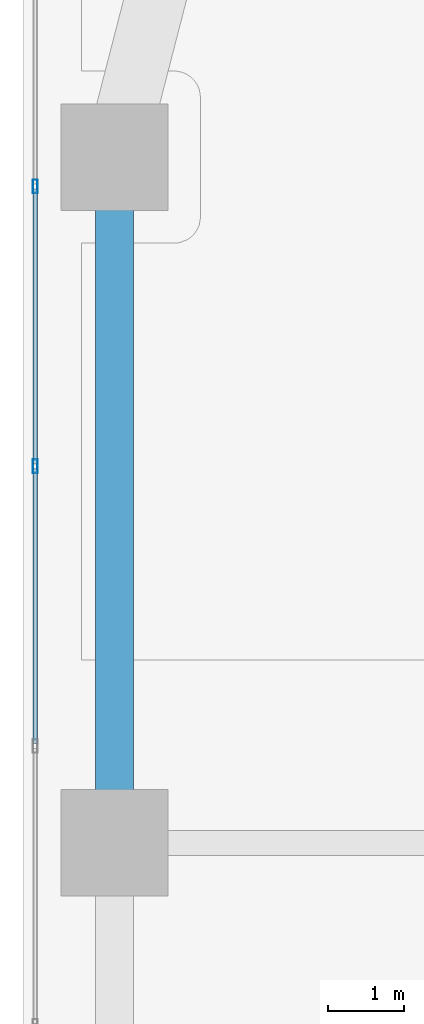
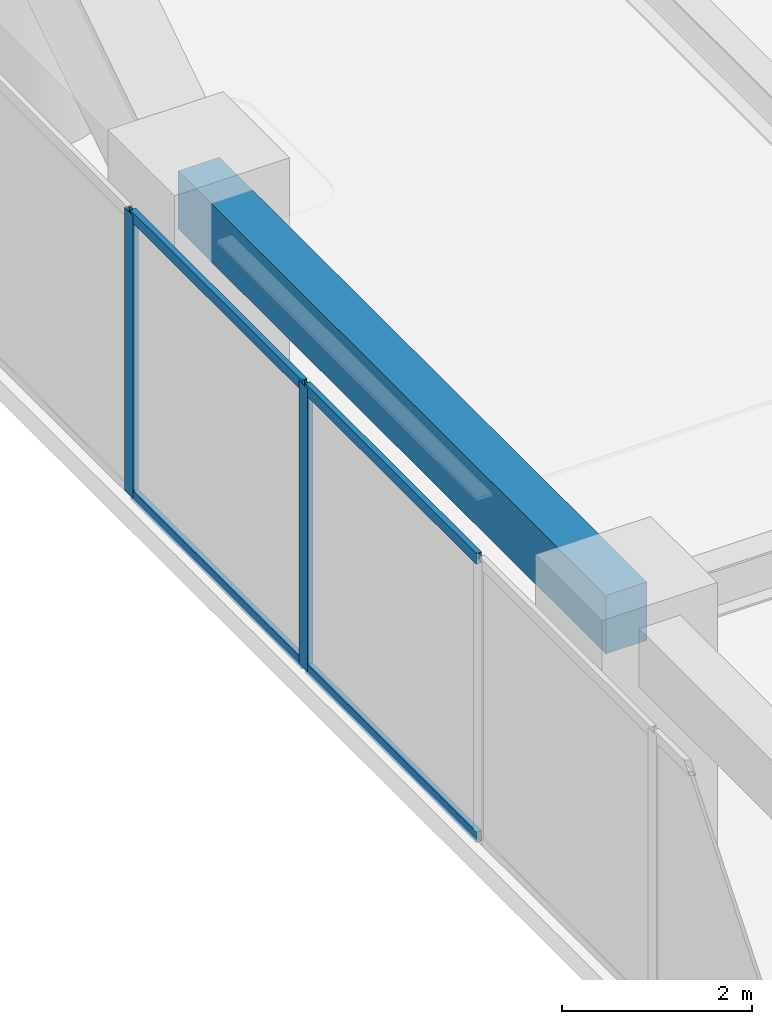
# One storey, part 9 of 24: 6 members, 1 beam, 1 element without a shape of its own.
"""IFC4 building model written with IfcOpenShell, lengths in metres."""

from ifc_helpers import new_model, si_unit, direction, frame, origin, origin_2d, place, context, subcontext, project, spatial, rectangle, hollow_rectangle, extrude, material, layer, layer_set, material_profile, profile_set, type_object, element, aggregate, save


model = new_model("IFC4")

# Units and contexts
model_context = context("Model", 3, precision=1e-05, world=origin(), true_north=direction((0.0, 1.0)))
body_context = subcontext(model_context, "Body", "Model", "MODEL_VIEW")
ifc_project = project(units=[si_unit("LENGTHUNIT", "METRE"), si_unit("AREAUNIT", "SQUARE_METRE"), si_unit("VOLUMEUNIT", "CUBIC_METRE"), si_unit("PLANEANGLEUNIT", "RADIAN"), si_unit("MASSUNIT", "GRAM", prefix="KILO")], contexts=[model_context])

# Site, building, storey
site_placement = place(None, origin())
site = spatial("IfcSite", under=ifc_project, at=site_placement, CompositionType="ELEMENT")
building_placement = place(site_placement, origin())
building = spatial("IfcBuilding", under=site, at=building_placement, Name="Kiyonajd Concourse Tower", CompositionType="ELEMENT")
storey_placement = place(building_placement, frame((0.0, 0.0, 137.699951171875)))
storey = spatial("IfcBuildingStorey", under=building, at=storey_placement, Name="L35", CompositionType="ELEMENT", Elevation=137.699951171875)

# Beam
ifc_material_1 = material(Name="Precast concrete C50/60", Category="concrete")
ifc_material_profile_1 = material_profile(ifc_material_1, rectangle(XDim=0.5, YDim=0.75, at=origin_2d()), Name="RCBM-500x750")
ifc_profile_set_1 = profile_set([ifc_material_profile_1], Name="Precast concrete C50/60")
beam_type = type_object("IfcBeamType", Name="BM-SPAN-RC", PredefinedType="SPANDREL", material=ifc_profile_set_1)
beam_placement = place(storey_placement, frame((19.199951171875, 53.39990234375, 3.26513671875), z_axis=(0.0, -1.0, 0.0), x_axis=(1.0, 0.0, 0.0)))
element("IfcBeam", 1, at=beam_placement, inside=storey, type_object=beam_type, Name="L35 Perimeter Bundled Tube Spandrel", PredefinedType="SPANDREL", context=body_context, shape_type="SweptSolid", body=[
    extrude(rectangle(XDim=0.5, YDim=0.75, at=origin_2d()), origin(), (0.0, 0.0, 1.0), 9.0),
])

# Curtain wall, members
ifc_material_2 = material(Name="Thermally Broken Anodised Aluminium", Category="aluminium")
ifc_layer = layer(ifc_material_2, 0.179931640625)
ifc_layer_set = layer_set([ifc_layer], Name="Thermally Broken Anodised Aluminium")
curtain_wall_type = type_object("IfcCurtainWallType", Name="CW-SYS-03", PredefinedType="NOTDEFINED", material=ifc_layer_set)
curtain_wall_placement = place(storey_placement, origin())
curtain_wall = element("IfcCurtainWall", 2, at=curtain_wall_placement, inside=storey, type_object=curtain_wall_type, Name="L35 Unitised Curtain Wall CW3", PredefinedType="NOTDEFINED")
ifc_material_profile_2 = material_profile(ifc_material_2, hollow_rectangle(XDim=0.06494140625, YDim=0.179931640625, WallThickness=0.00390625, at=origin_2d()), Name="MULL-65x180")
ifc_profile_set_2 = profile_set([ifc_material_profile_2], Name="Thermally Broken Anodised Aluminium")
member_type_1 = type_object("IfcMemberType", Name="MB-CW-MULL1", PredefinedType="MULLION", material=ifc_profile_set_2)
member_1_placement = place(storey_placement, frame((18.159912109375, 49.342529296875, 0.0), z_axis=(0.0, 0.0, 1.0), x_axis=(-1.0, 0.0, 0.0)))
member_1 = element("IfcMember", 3, at=member_1_placement, type_object=member_type_1, Name="CW3 mullion 5", PredefinedType="MULLION", context=body_context, shape_type="SweptSolid", body=[
    extrude(hollow_rectangle(XDim=0.06494140625, YDim=0.179931640625, WallThickness=0.00390625, at=origin_2d()), origin(), (0.0, 0.0, 1.0), 3.64013671875),
])
member_2_placement = place(storey_placement, frame((18.159912109375, 53.015869140625, 0.0), z_axis=(0.0, 0.0, 1.0), x_axis=(-1.0, 0.0, 0.0)))
member_2 = element("IfcMember", 4, at=member_2_placement, type_object=member_type_1, Name="CW3 mullion 6", PredefinedType="MULLION", context=body_context, shape_type="SweptSolid", body=[
    extrude(hollow_rectangle(XDim=0.06494140625, YDim=0.179931640625, WallThickness=0.00390625, at=origin_2d()), origin(), (0.0, 0.0, 1.0), 3.64013671875),
])
ifc_material_profile_3 = material_profile(ifc_material_2, hollow_rectangle(XDim=0.06494140625, YDim=0.139892578125, WallThickness=0.00390625, at=origin_2d()), Name="TRAN-65x140")
ifc_profile_set_3 = profile_set([ifc_material_profile_3], Name="Thermally Broken Anodised Aluminium")
member_type_2 = type_object("IfcMemberType", Name="MB-CW-TRAN1", PredefinedType="USERDEFINED", material=ifc_profile_set_3)
member_3_placement = place(storey_placement, frame((18.159912109375, 45.701904296875, 0.032470703125), z_axis=(0.0, 1.0, 0.0), x_axis=(-1.0, 0.0, 0.0)))
member_3 = element("IfcMember", 5, at=member_3_placement, type_object=member_type_2, Name="CW3 transom 4.1", ObjectType="TRANSOM", PredefinedType="USERDEFINED", context=body_context, shape_type="SweptSolid", body=[
    extrude(hollow_rectangle(XDim=0.06494140625, YDim=0.139892578125, WallThickness=0.00390625, at=origin_2d()), origin(), (0.0, 0.0, 1.0), 3.608154296875),
])
member_4_placement = place(storey_placement, frame((18.159912109375, 45.701904296875, 3.607666015625), z_axis=(0.0, 1.0, 0.0), x_axis=(-1.0, 0.0, 0.0)))
member_4 = element("IfcMember", 6, at=member_4_placement, type_object=member_type_2, Name="CW3 transom 4.2", ObjectType="TRANSOM", PredefinedType="USERDEFINED", context=body_context, shape_type="SweptSolid", body=[
    extrude(hollow_rectangle(XDim=0.06494140625, YDim=0.139892578125, WallThickness=0.00390625, at=origin_2d()), origin(), (0.0, 0.0, 1.0), 3.608154296875),
])
member_5_placement = place(storey_placement, frame((18.159912109375, 49.375, 0.032470703125), z_axis=(0.0, 1.0, 0.0), x_axis=(-1.0, 0.0, 0.0)))
member_5 = element("IfcMember", 7, at=member_5_placement, type_object=member_type_2, Name="CW3 transom 5.1", ObjectType="TRANSOM", PredefinedType="USERDEFINED", context=body_context, shape_type="SweptSolid", body=[
    extrude(hollow_rectangle(XDim=0.06494140625, YDim=0.139892578125, WallThickness=0.00390625, at=origin_2d()), origin(), (0.0, 0.0, 1.0), 3.608154296875),
])
member_6_placement = place(storey_placement, frame((18.159912109375, 49.375, 3.607666015625), z_axis=(0.0, 1.0, 0.0), x_axis=(-1.0, 0.0, 0.0)))
member_6 = element("IfcMember", 8, at=member_6_placement, type_object=member_type_2, Name="CW3 transom 5.2", ObjectType="TRANSOM", PredefinedType="USERDEFINED", context=body_context, shape_type="SweptSolid", body=[
    extrude(hollow_rectangle(XDim=0.06494140625, YDim=0.139892578125, WallThickness=0.00390625, at=origin_2d()), origin(), (0.0, 0.0, 1.0), 3.608154296875),
])
aggregate(curtain_wall, [member_1, member_2, member_3, member_4, member_5, member_6])

save(model, "model.ifc")
